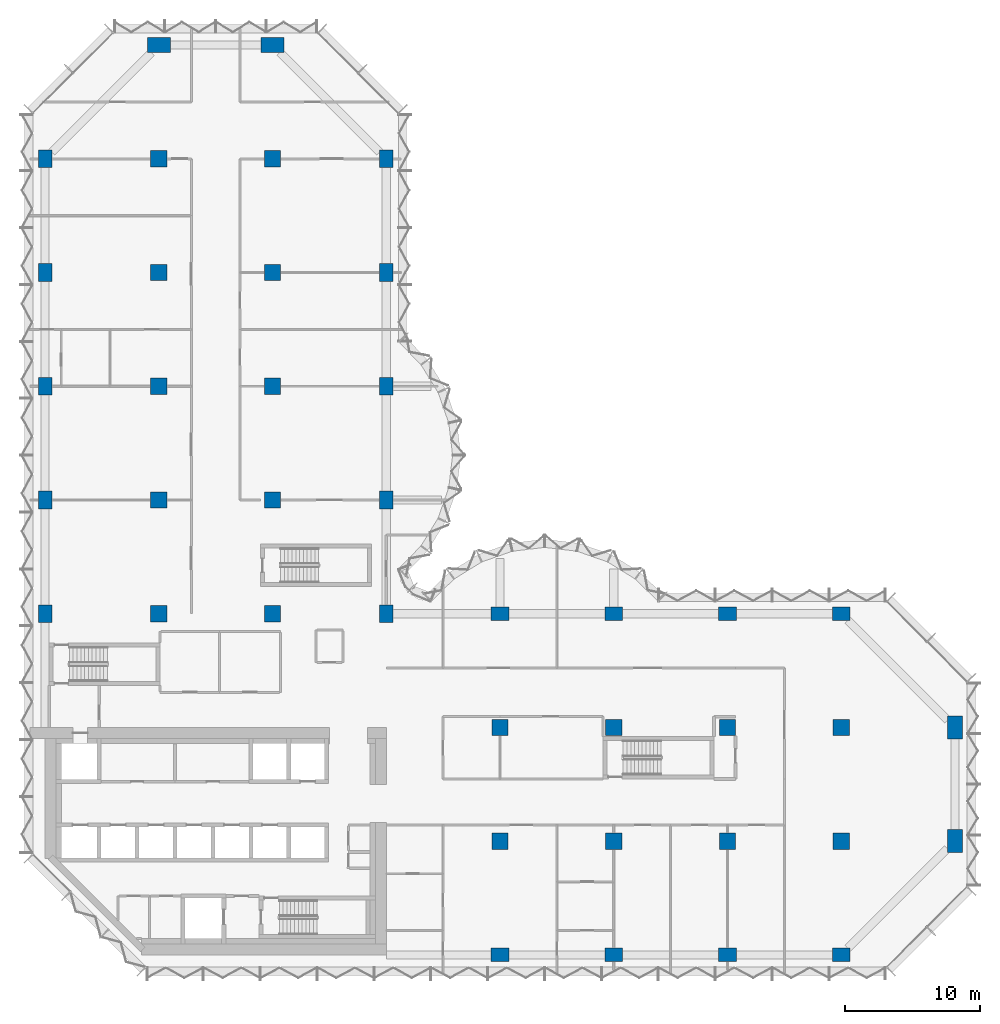
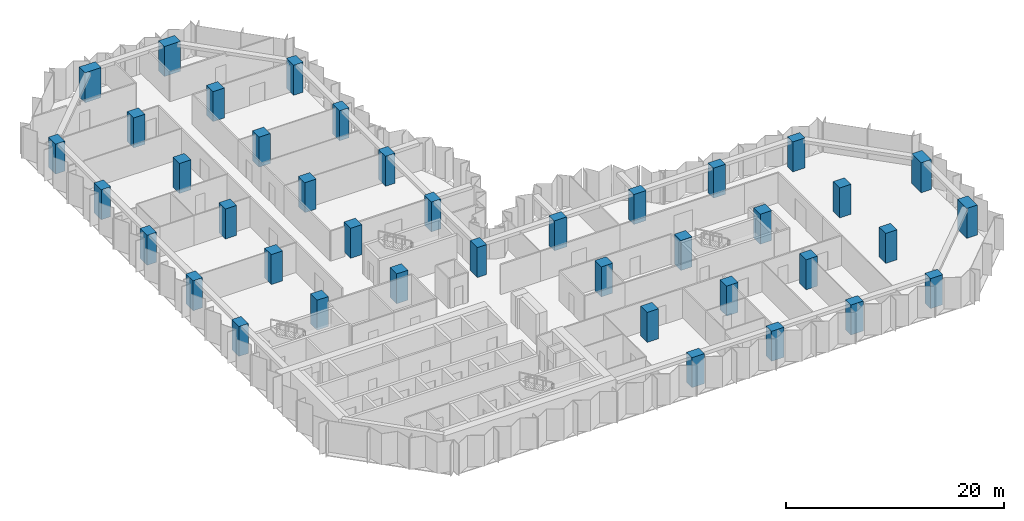
# One storey, part 1 of 13: 40 columns.
"""IFC4 building model written with IfcOpenShell, lengths in metres."""

from ifc_helpers import new_model, si_unit, direction, frame, origin, origin_2d, place, context, subcontext, project, spatial, rectangle, extrude, material, material_profile, profile_set, type_object, element, save


model = new_model("IFC4")

# Units and contexts
model_context = context("Model", 3, precision=1e-05, world=origin(), true_north=direction((0.0, 1.0)))
body_context = subcontext(model_context, "Body", "Model", "MODEL_VIEW")
ifc_project = project(units=[si_unit("LENGTHUNIT", "METRE"), si_unit("AREAUNIT", "SQUARE_METRE"), si_unit("VOLUMEUNIT", "CUBIC_METRE"), si_unit("PLANEANGLEUNIT", "RADIAN"), si_unit("MASSUNIT", "GRAM", prefix="KILO")], contexts=[model_context])

# Site, building, storey
site_placement = place(None, origin())
site = spatial("IfcSite", under=ifc_project, at=site_placement, CompositionType="ELEMENT")
building_placement = place(site_placement, origin())
building = spatial("IfcBuilding", under=site, at=building_placement, Name="Brevane Broadcast Tower", CompositionType="ELEMENT")
storey_placement = place(building_placement, frame((0.0, 0.0, 109.699951171875)))
storey = spatial("IfcBuildingStorey", under=building, at=storey_placement, Name="L26", CompositionType="ELEMENT", Elevation=109.699951171875)

# Columns
ifc_material = material(Name="Concrete C60/75", Category="concrete")
ifc_material_profile_1 = material_profile(ifc_material, rectangle(XDim=1.0, YDim=1.300048828125, at=origin_2d()), Name="RC 1000x1300")
ifc_profile_set_1 = profile_set([ifc_material_profile_1], Name="Concrete C60/75")
column_type_1 = type_object("IfcColumnType", Name="RC COLUMN EDGE 1000x1300 C60/75", PredefinedType="COLUMN", material=ifc_profile_set_1)
for number, where, z_axis, x_axis, name in (
    (1, (0.0, 25.199951171875, 0.0), (0.0, 0.0, 1.0), (1.0, 0.0, 0.0), "CE8 1/D"),
    (2, (0.0, 33.60009765625, 0.0), (0.0, 0.0, 1.0), (1.0, 0.0, 0.0), "CE8 1/E"),
    (3, (0.0, 42.0, 0.0), (0.0, 0.0, 1.0), (1.0, 0.0, 0.0), "CE8 1/F"),
    (4, (0.0, 50.39990234375, 0.0), (0.0, 0.0, 1.0), (1.0, 0.0, 0.0), "CE8 1/G"),
    (5, (0.0, 58.800048828125, 0.0), (0.0, 0.0, 1.0), (1.0, 0.0, 0.0), "CE8 1/H"),
    (6, (25.199951171875, 25.199951171875, 0.0), (0.0, 0.0, 1.0), (1.0, 0.0, 0.0), "CE8 4/D"),
    (7, (25.199951171875, 33.60009765625, 0.0), (0.0, 0.0, 1.0), (1.0, 0.0, 0.0), "CE8 4/E"),
    (8, (25.199951171875, 42.0, 0.0), (0.0, 0.0, 1.0), (1.0, 0.0, 0.0), "CE8 4/F"),
    (9, (25.199951171875, 50.39990234375, 0.0), (0.0, 0.0, 1.0), (1.0, 0.0, 0.0), "CE8 4/G"),
    (10, (25.199951171875, 58.800048828125, 0.0), (0.0, 0.0, 1.0), (1.0, 0.0, 0.0), "CE8 4/H"),
    (11, (33.60009765625, 0.0, 0.0), (0.0, 0.0, 1.0), (0.0, 1.0, 0.0), "CE8 5/A"),
    (12, (33.60009765625, 25.199951171875, 0.0), (0.0, 0.0, 1.0), (0.0, 1.0, 0.0), "CE8 5/D"),
    (13, (42.0, 0.0, 0.0), (0.0, 0.0, 1.0), (0.0, 1.0, 0.0), "CE8 6/A"),
    (14, (42.0, 25.199951171875, 0.0), (0.0, 0.0, 1.0), (0.0, 1.0, 0.0), "CE8 6/D"),
    (15, (50.39990234375, 0.0, 0.0), (0.0, 0.0, 1.0), (0.0, 1.0, 0.0), "CE8 7/A"),
    (16, (50.39990234375, 25.199951171875, 0.0), (0.0, 0.0, 1.0), (0.0, 1.0, 0.0), "CE8 7/D"),
    (17, (58.800048828125, 0.0, 0.0), (0.0, 0.0, 1.0), (0.0, 1.0, 0.0), "CE8 8/A"),
    (18, (58.800048828125, 25.199951171875, 0.0), (0.0, 0.0, 1.0), (0.0, 1.0, 0.0), "CE8 8/D"),
):
    element("IfcColumn", number, at=place(storey_placement, frame(where, z_axis=z_axis, x_axis=x_axis)), inside=storey, type_object=column_type_1, Name=name, PredefinedType="COLUMN", context=body_context, shape_type="SweptSolid", body=[
        extrude(rectangle(XDim=1.0, YDim=1.300048828125, at=origin_2d()), origin(), (0.0, 0.0, 1.0), 3.35009765625),
    ])
ifc_material_profile_2 = material_profile(ifc_material, rectangle(XDim=1.199951171875, YDim=1.199951171875, at=origin_2d()), Name="RC 1200x1200")
ifc_profile_set_2 = profile_set([ifc_material_profile_2], Name="Concrete C60/75")
column_type_2 = type_object("IfcColumnType", Name="RC COLUMN INTERIOR 1200x1200 C60/75", PredefinedType="COLUMN", material=ifc_profile_set_2)
for number, where, z_axis, x_axis, name in (
    (19, (8.39990234375, 25.199951171875, 0.0), (0.0, 0.0, 1.0), (1.0, 0.0, 0.0), "CI9 2/D"),
    (20, (8.39990234375, 33.60009765625, 0.0), (0.0, 0.0, 1.0), (1.0, 0.0, 0.0), "CI9 2/E"),
    (21, (8.39990234375, 42.0, 0.0), (0.0, 0.0, 1.0), (1.0, 0.0, 0.0), "CI9 2/F"),
    (22, (8.39990234375, 50.39990234375, 0.0), (0.0, 0.0, 1.0), (1.0, 0.0, 0.0), "CI9 2/G"),
    (23, (8.39990234375, 58.800048828125, 0.0), (0.0, 0.0, 1.0), (1.0, 0.0, 0.0), "CI9 2/H"),
    (24, (16.800048828125, 25.199951171875, 0.0), (0.0, 0.0, 1.0), (1.0, 0.0, 0.0), "CI9 3/D"),
    (25, (16.800048828125, 33.60009765625, 0.0), (0.0, 0.0, 1.0), (1.0, 0.0, 0.0), "CI9 3/E"),
    (26, (16.800048828125, 42.0, 0.0), (0.0, 0.0, 1.0), (1.0, 0.0, 0.0), "CI9 3/F"),
    (27, (16.800048828125, 50.39990234375, 0.0), (0.0, 0.0, 1.0), (1.0, 0.0, 0.0), "CI9 3/G"),
    (28, (16.800048828125, 58.800048828125, 0.0), (0.0, 0.0, 1.0), (1.0, 0.0, 0.0), "CI9 3/H"),
    (29, (33.60009765625, 8.39990234375, 0.0), (0.0, 0.0, 1.0), (1.0, 0.0, 0.0), "CI9 5/B"),
    (30, (33.60009765625, 16.800048828125, 0.0), (0.0, 0.0, 1.0), (1.0, 0.0, 0.0), "CI9 5/C"),
    (31, (42.0, 8.39990234375, 0.0), (0.0, 0.0, 1.0), (1.0, 0.0, 0.0), "CI9 6/B"),
    (32, (42.0, 16.800048828125, 0.0), (0.0, 0.0, 1.0), (1.0, 0.0, 0.0), "CI9 6/C"),
    (33, (50.39990234375, 8.39990234375, 0.0), (0.0, 0.0, 1.0), (1.0, 0.0, 0.0), "CI9 7/B"),
    (34, (50.39990234375, 16.800048828125, 0.0), (0.0, 0.0, 1.0), (1.0, 0.0, 0.0), "CI9 7/C"),
    (35, (58.800048828125, 8.39990234375, 0.0), (0.0, 0.0, 1.0), (1.0, 0.0, 0.0), "CI9 8/B"),
    (36, (58.800048828125, 16.800048828125, 0.0), (0.0, 0.0, 1.0), (1.0, 0.0, 0.0), "CI9 8/C"),
):
    element("IfcColumn", number, at=place(storey_placement, frame(where, z_axis=z_axis, x_axis=x_axis)), inside=storey, type_object=column_type_2, Name=name, PredefinedType="COLUMN", context=body_context, shape_type="SweptSolid", body=[
        extrude(rectangle(XDim=1.199951171875, YDim=1.199951171875, at=origin_2d()), origin(), (0.0, 0.0, 1.0), 3.35009765625),
    ])
ifc_material_profile_3 = material_profile(ifc_material, rectangle(XDim=1.10009765625, YDim=1.699951171875, at=origin_2d()), Name="RC 1100x1700")
ifc_profile_set_3 = profile_set([ifc_material_profile_3], Name="Concrete C60/75")
column_type_3 = type_object("IfcColumnType", Name="RC COLUMN WING-END 1100x1700 C60/75", PredefinedType="COLUMN", material=ifc_profile_set_3)
for number, where, z_axis, x_axis, name in (
    (37, (8.39990234375, 67.199951171875, 0.0), (0.0, 0.0, 1.0), (0.0, 1.0, 0.0), "CW10 2/I"),
    (38, (16.800048828125, 67.199951171875, 0.0), (0.0, 0.0, 1.0), (0.0, 1.0, 0.0), "CW10 3/I"),
    (39, (67.199951171875, 8.39990234375, 0.0), (0.0, 0.0, 1.0), (1.0, 0.0, 0.0), "CW10 9/B"),
    (40, (67.199951171875, 16.800048828125, 0.0), (0.0, 0.0, 1.0), (1.0, 0.0, 0.0), "CW10 9/C"),
):
    element("IfcColumn", number, at=place(storey_placement, frame(where, z_axis=z_axis, x_axis=x_axis)), inside=storey, type_object=column_type_3, Name=name, PredefinedType="COLUMN", context=body_context, shape_type="SweptSolid", body=[
        extrude(rectangle(XDim=1.10009765625, YDim=1.699951171875, at=origin_2d()), origin(), (0.0, 0.0, 1.0), 3.35009765625),
    ])

save(model, "model.ifc")
